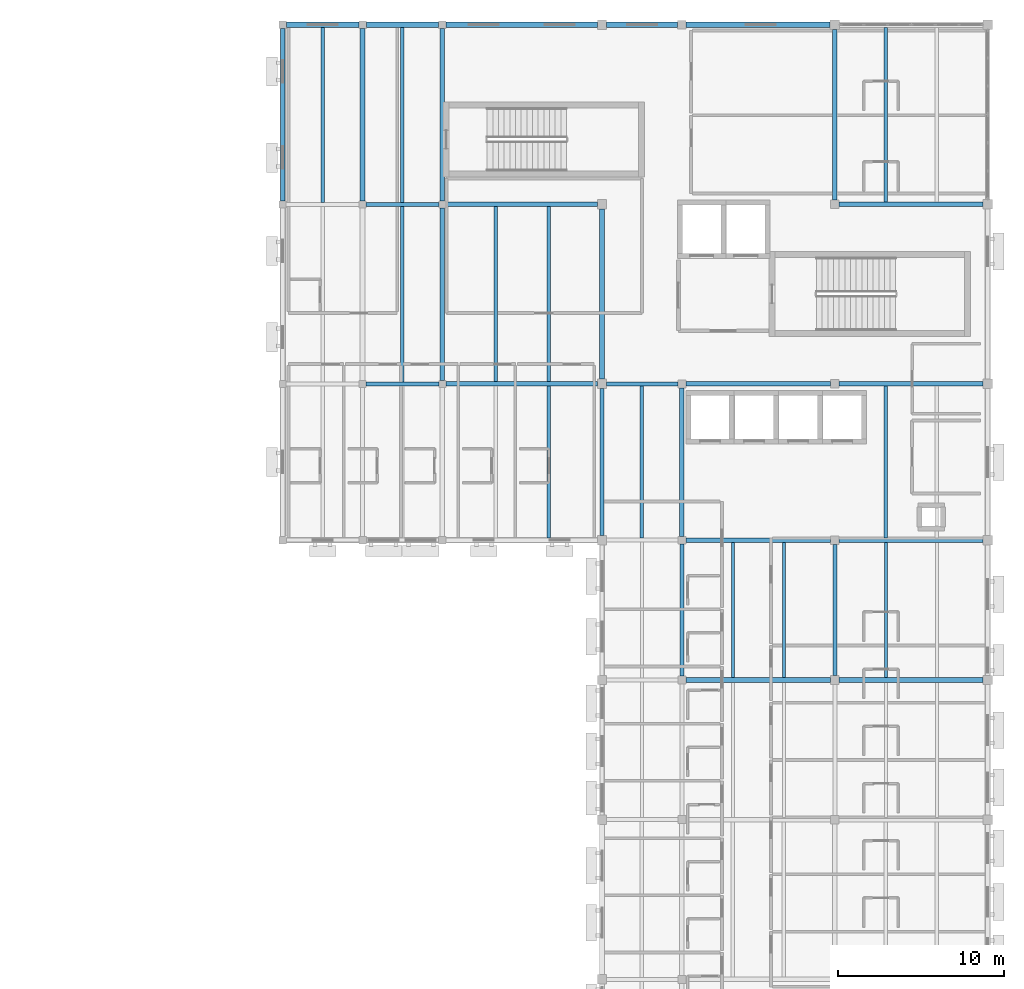
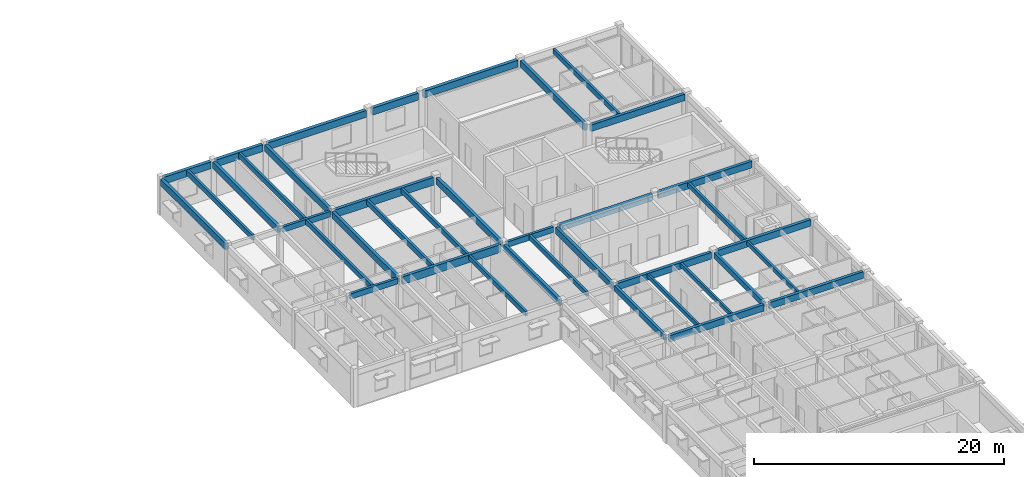
# One storey, part 4 of 31: 39 beams.
"""IFC4 building model written with IfcOpenShell, lengths in metres."""

from ifc_helpers import new_model, si_unit, direction, frame, origin, origin_2d, place, context, subcontext, project, spatial, rectangle, extrude, material, material_profile, profile_set, type_object, element, save


model = new_model("IFC4")

# Units and contexts
model_context = context("Model", 3, precision=1e-05, world=origin(), true_north=direction((0.0, 1.0)))
body_context = subcontext(model_context, "Body", "Model", "MODEL_VIEW")
ifc_project = project(units=[si_unit("LENGTHUNIT", "METRE"), si_unit("AREAUNIT", "SQUARE_METRE"), si_unit("VOLUMEUNIT", "CUBIC_METRE"), si_unit("PLANEANGLEUNIT", "RADIAN"), si_unit("MASSUNIT", "GRAM", prefix="KILO")], contexts=[model_context])

# Site, building, storey
site_placement = place(None, origin())
site = spatial("IfcSite", under=ifc_project, at=site_placement, CompositionType="ELEMENT")
building_placement = place(site_placement, origin())
building = spatial("IfcBuilding", under=site, at=building_placement, Name="Veldera Park Congress Hotel", CompositionType="ELEMENT")
storey_placement = place(building_placement, frame((0.0, 0.0, 20.0)))
storey = spatial("IfcBuildingStorey", under=building, at=storey_placement, Name="L04", CompositionType="ELEMENT", Elevation=20.0)

# Beams
ifc_material = material(Name="Glulam GL28h (NDS 24F-V4)", Category="wood")
ifc_material_profile_1 = material_profile(ifc_material, rectangle(XDim=0.239990234375, YDim=0.5400390625, at=origin_2d()), Name="GL28h 240x540")
ifc_profile_set_1 = profile_set([ifc_material_profile_1], Name="Glulam GL28h (NDS 24F-V4)")
beam_type_1 = type_object("IfcBeamType", Name="BM-GL540", PredefinedType="BEAM", material=ifc_profile_set_1)
beam_1_placement = place(storey_placement, frame((46.610107421875, 36.39990234375, 3.280029296875), z_axis=(1.0, 0.0, 0.0), x_axis=(0.0, 1.0, 0.0)))
element("IfcBeam", 1, at=beam_1_placement, inside=storey, type_object=beam_type_1, Name="L04 Girder BM-GL540 1283", PredefinedType="BEAM", context=body_context, shape_type="SweptSolid", body=[
    extrude(rectangle(XDim=0.239990234375, YDim=0.5400390625, at=origin_2d()), origin(), (0.0, 0.0, 1.0), 4.3798828125),
])
beam_2_placement = place(storey_placement, frame((61.080078125, 36.39990234375, 3.280029296875), z_axis=(1.0, 0.0, 0.0), x_axis=(0.0, 1.0, 0.0)))
element("IfcBeam", 2, at=beam_2_placement, inside=storey, type_object=beam_type_1, Name="L04 Girder BM-GL540 1285", PredefinedType="BEAM", context=body_context, shape_type="SweptSolid", body=[
    extrude(rectangle(XDim=0.239990234375, YDim=0.5400390625, at=origin_2d()), origin(), (0.0, 0.0, 1.0), 4.280029296875),
])
beam_3_placement = place(storey_placement, frame((46.610107421875, 47.199951171875, 3.280029296875), z_axis=(1.0, 0.0, 0.0), x_axis=(0.0, 1.0, 0.0)))
element("IfcBeam", 3, at=beam_3_placement, inside=storey, type_object=beam_type_1, Name="L04 Girder BM-GL540 1289", PredefinedType="BEAM", context=body_context, shape_type="SweptSolid", body=[
    extrude(rectangle(XDim=0.239990234375, YDim=0.5400390625, at=origin_2d()), origin(), (0.0, 0.0, 1.0), 4.3798828125),
])
beam_4_placement = place(storey_placement, frame((65.60009765625, 18.840087890625, 3.280029296875), z_axis=(0.0, 1.0, 0.0), x_axis=(-1.0, 0.0, 0.0)))
element("IfcBeam", 4, at=beam_4_placement, inside=storey, type_object=beam_type_1, Name="L04 Girder BM-GL540 1324", PredefinedType="BEAM", context=body_context, shape_type="SweptSolid", body=[
    extrude(rectangle(XDim=0.239990234375, YDim=0.5400390625, at=origin_2d()), origin(), (0.0, 0.0, 1.0), 7.919921875),
])
beam_5_placement = place(storey_placement, frame((74.800048828125, 18.860107421875, 3.280029296875), z_axis=(0.0, 1.0, 0.0), x_axis=(-1.0, 0.0, 0.0)))
element("IfcBeam", 5, at=beam_5_placement, inside=storey, type_object=beam_type_1, Name="L04 Girder BM-GL540 1332", PredefinedType="BEAM", context=body_context, shape_type="SweptSolid", body=[
    extrude(rectangle(XDim=0.239990234375, YDim=0.5400390625, at=origin_2d()), origin(), (0.0, 0.0, 1.0), 7.8798828125),
])
ifc_material_profile_2 = material_profile(ifc_material, rectangle(XDim=0.264892578125, YDim=0.6201171875, at=origin_2d()), Name="GL28h 265x620")
ifc_profile_set_2 = profile_set([ifc_material_profile_2], Name="Glulam GL28h (NDS 24F-V4)")
beam_type_2 = type_object("IfcBeamType", Name="BM-GL620", PredefinedType="BEAM", material=ifc_profile_set_2)
beam_6_placement = place(storey_placement, frame((60.800048828125, 27.280029296875, 3.239990234375), z_axis=(0.0, 1.0, 0.0), x_axis=(-1.0, 0.0, 0.0)))
element("IfcBeam", 6, at=beam_6_placement, inside=storey, type_object=beam_type_2, Name="L04 Girder BM-GL620 1316", PredefinedType="BEAM", context=body_context, shape_type="SweptSolid", body=[
    extrude(rectangle(XDim=0.264892578125, YDim=0.6201171875, at=origin_2d()), origin(), (0.0, 0.0, 1.0), 8.840087890625),
])
beam_7_placement = place(storey_placement, frame((65.60009765625, 27.239990234375, 3.239990234375), z_axis=(0.0, 1.0, 0.0), x_axis=(-1.0, 0.0, 0.0)))
element("IfcBeam", 7, at=beam_7_placement, inside=storey, type_object=beam_type_2, Name="L04 Girder BM-GL620 1325", PredefinedType="BEAM", context=body_context, shape_type="SweptSolid", body=[
    extrude(rectangle(XDim=0.264892578125, YDim=0.6201171875, at=origin_2d()), origin(), (0.0, 0.0, 1.0), 8.919921875),
])
ifc_material_profile_3 = material_profile(ifc_material, rectangle(XDim=0.280029296875, YDim=0.639892578125, at=origin_2d()), Name="GL28h 280x640")
ifc_profile_set_3 = profile_set([ifc_material_profile_3], Name="Glulam GL28h (NDS 24F-V4)")
beam_type_3 = type_object("IfcBeamType", Name="BM-GL640", PredefinedType="BEAM", material=ifc_profile_set_3)
beam_8_placement = place(storey_placement, frame((65.840087890625, 18.60009765625, 3.22998046875), z_axis=(1.0, 0.0, 0.0), x_axis=(0.0, 1.0, 0.0)))
element("IfcBeam", 8, at=beam_8_placement, inside=storey, type_object=beam_type_3, Name="L04 Girder BM-GL640 1274", PredefinedType="BEAM", context=body_context, shape_type="SweptSolid", body=[
    extrude(rectangle(XDim=0.280029296875, YDim=0.639892578125, at=origin_2d()), origin(), (0.0, 0.0, 1.0), 8.699951171875),
])
beam_9_placement = place(storey_placement, frame((75.06005859375, 18.60009765625, 3.22998046875), z_axis=(1.0, 0.0, 0.0), x_axis=(0.0, 1.0, 0.0)))
element("IfcBeam", 9, at=beam_9_placement, inside=storey, type_object=beam_type_3, Name="L04 Girder BM-GL640 1275", PredefinedType="BEAM", context=body_context, shape_type="SweptSolid", body=[
    extrude(rectangle(XDim=0.280029296875, YDim=0.639892578125, at=origin_2d()), origin(), (0.0, 0.0, 1.0), 8.659912109375),
])
beam_10_placement = place(storey_placement, frame((65.840087890625, 27.0, 3.22998046875), z_axis=(1.0, 0.0, 0.0), x_axis=(0.0, 1.0, 0.0)))
element("IfcBeam", 10, at=beam_10_placement, inside=storey, type_object=beam_type_3, Name="L04 Girder BM-GL640 1280", PredefinedType="BEAM", context=body_context, shape_type="SweptSolid", body=[
    extrude(rectangle(XDim=0.280029296875, YDim=0.639892578125, at=origin_2d()), origin(), (0.0, 0.0, 1.0), 8.699951171875),
])
beam_11_placement = place(storey_placement, frame((75.06005859375, 27.0, 3.22998046875), z_axis=(1.0, 0.0, 0.0), x_axis=(0.0, 1.0, 0.0)))
element("IfcBeam", 11, at=beam_11_placement, inside=storey, type_object=beam_type_3, Name="L04 Girder BM-GL640 1281", PredefinedType="BEAM", context=body_context, shape_type="SweptSolid", body=[
    extrude(rectangle(XDim=0.280029296875, YDim=0.639892578125, at=origin_2d()), origin(), (0.0, 0.0, 1.0), 8.659912109375),
])
beam_12_placement = place(storey_placement, frame((65.840087890625, 36.39990234375, 3.22998046875), z_axis=(1.0, 0.0, 0.0), x_axis=(0.0, 1.0, 0.0)))
element("IfcBeam", 12, at=beam_12_placement, inside=storey, type_object=beam_type_3, Name="L04 Girder BM-GL640 1286", PredefinedType="BEAM", context=body_context, shape_type="SweptSolid", body=[
    extrude(rectangle(XDim=0.280029296875, YDim=0.639892578125, at=origin_2d()), origin(), (0.0, 0.0, 1.0), 8.699951171875),
])
for number, where, z_axis, x_axis, name in (
    (13, (75.06005859375, 36.39990234375, 3.22998046875), (1.0, 0.0, 0.0), (0.0, 1.0, 0.0), "L04 Girder BM-GL640 1287"),
    (14, (75.06005859375, 47.199951171875, 3.22998046875), (1.0, 0.0, 0.0), (0.0, 1.0, 0.0), "L04 Girder BM-GL640 1291"),
):
    element("IfcBeam", number, at=place(storey_placement, frame(where, z_axis=z_axis, x_axis=x_axis)), inside=storey, type_object=beam_type_3, Name=name, PredefinedType="BEAM", context=body_context, shape_type="SweptSolid", body=[
        extrude(rectangle(XDim=0.280029296875, YDim=0.639892578125, at=origin_2d()), origin(), (0.0, 0.0, 1.0), 8.659912109375),
    ])
for number, where, z_axis, x_axis, name in (
    (15, (41.60009765625, 47.409912109375, 3.22998046875), (0.0, 1.0, 0.0), (-1.0, 0.0, 0.0), "L04 Girder BM-GL640 1300"),
    (16, (46.39990234375, 47.409912109375, 3.22998046875), (0.0, 1.0, 0.0), (-1.0, 0.0, 0.0), "L04 Girder BM-GL640 1303"),
):
    element("IfcBeam", number, at=place(storey_placement, frame(where, z_axis=z_axis, x_axis=x_axis)), inside=storey, type_object=beam_type_3, Name=name, PredefinedType="BEAM", context=body_context, shape_type="SweptSolid", body=[
        extrude(rectangle(XDim=0.280029296875, YDim=0.639892578125, at=origin_2d()), origin(), (0.0, 0.0, 1.0), 10.364990234375),
    ])
beam_13_placement = place(storey_placement, frame((51.199951171875, 36.610107421875, 3.22998046875), z_axis=(0.0, 1.0, 0.0), x_axis=(-1.0, 0.0, 0.0)))
element("IfcBeam", 17, at=beam_13_placement, inside=storey, type_object=beam_type_3, Name="L04 Girder BM-GL640 1305", PredefinedType="BEAM", context=body_context, shape_type="SweptSolid", body=[
    extrude(rectangle(XDim=0.280029296875, YDim=0.639892578125, at=origin_2d()), origin(), (0.0, 0.0, 1.0), 10.3798828125),
])
beam_14_placement = place(storey_placement, frame((51.199951171875, 47.409912109375, 3.22998046875), z_axis=(0.0, 1.0, 0.0), x_axis=(-1.0, 0.0, 0.0)))
element("IfcBeam", 18, at=beam_14_placement, inside=storey, type_object=beam_type_3, Name="L04 Girder BM-GL640 1306", PredefinedType="BEAM", context=body_context, shape_type="SweptSolid", body=[
    extrude(rectangle(XDim=0.280029296875, YDim=0.639892578125, at=origin_2d()), origin(), (0.0, 0.0, 1.0), 10.364990234375),
])
beam_15_placement = place(storey_placement, frame((60.800048828125, 36.679931640625, 3.22998046875), z_axis=(0.0, 1.0, 0.0), x_axis=(-1.0, 0.0, 0.0)))
element("IfcBeam", 19, at=beam_15_placement, inside=storey, type_object=beam_type_3, Name="L04 Girder BM-GL640 1317", PredefinedType="BEAM", context=body_context, shape_type="SweptSolid", body=[
    extrude(rectangle(XDim=0.280029296875, YDim=0.639892578125, at=origin_2d()), origin(), (0.0, 0.0, 1.0), 10.239990234375),
])
beam_16_placement = place(storey_placement, frame((74.800048828125, 47.4599609375, 3.22998046875), z_axis=(0.0, 1.0, 0.0), x_axis=(-1.0, 0.0, 0.0)))
element("IfcBeam", 20, at=beam_16_placement, inside=storey, type_object=beam_type_3, Name="L04 Girder BM-GL640 1333", PredefinedType="BEAM", context=body_context, shape_type="SweptSolid", body=[
    extrude(rectangle(XDim=0.280029296875, YDim=0.639892578125, at=origin_2d()), origin(), (0.0, 0.0, 1.0), 10.260009765625),
])
ifc_material_profile_4 = material_profile(ifc_material, rectangle(XDim=0.31494140625, YDim=0.679931640625, at=origin_2d()), Name="GL28h 315x680")
ifc_profile_set_4 = profile_set([ifc_material_profile_4], Name="Glulam GL28h (NDS 24F-V4)")
beam_type_4 = type_object("IfcBeamType", Name="BM-GL640E", PredefinedType="BEAM", material=ifc_profile_set_4)
for number, where, z_axis, x_axis, name in (
    (21, (41.824951171875, 58.0, 3.2099609375), (1.0, 0.0, 0.0), (0.0, 1.0, 0.0), "L04 Girder BM-GL640E 1292"),
    (22, (46.625, 58.0, 3.2099609375), (1.0, 0.0, 0.0), (0.0, 1.0, 0.0), "L04 Girder BM-GL640E 1293"),
):
    element("IfcBeam", number, at=place(storey_placement, frame(where, z_axis=z_axis, x_axis=x_axis)), inside=storey, type_object=beam_type_4, Name=name, PredefinedType="BEAM", context=body_context, shape_type="SweptSolid", body=[
        extrude(rectangle(XDim=0.31494140625, YDim=0.679931640625, at=origin_2d()), origin(), (0.0, 0.0, 1.0), 4.35009765625),
    ])
beam_17_placement = place(storey_placement, frame((51.425048828125, 58.0, 3.2099609375), z_axis=(1.0, 0.0, 0.0), x_axis=(0.0, 1.0, 0.0)))
element("IfcBeam", 23, at=beam_17_placement, inside=storey, type_object=beam_type_4, Name="L04 Girder BM-GL640E 1294", PredefinedType="BEAM", context=body_context, shape_type="SweptSolid", body=[
    extrude(rectangle(XDim=0.31494140625, YDim=0.679931640625, at=origin_2d()), origin(), (0.0, 0.0, 1.0), 9.094970703125),
])
beam_18_placement = place(storey_placement, frame((61.080078125, 58.0, 3.2099609375), z_axis=(1.0, 0.0, 0.0), x_axis=(0.0, 1.0, 0.0)))
element("IfcBeam", 24, at=beam_18_placement, inside=storey, type_object=beam_type_4, Name="L04 Girder BM-GL640E 1295", PredefinedType="BEAM", context=body_context, shape_type="SweptSolid", body=[
    extrude(rectangle(XDim=0.31494140625, YDim=0.679931640625, at=origin_2d()), origin(), (0.0, 0.0, 1.0), 4.260009765625),
])
beam_19_placement = place(storey_placement, frame((65.860107421875, 58.0, 3.2099609375), z_axis=(1.0, 0.0, 0.0), x_axis=(0.0, 1.0, 0.0)))
element("IfcBeam", 25, at=beam_19_placement, inside=storey, type_object=beam_type_4, Name="L04 Girder BM-GL640E 1296", PredefinedType="BEAM", context=body_context, shape_type="SweptSolid", body=[
    extrude(rectangle(XDim=0.31494140625, YDim=0.679931640625, at=origin_2d()), origin(), (0.0, 0.0, 1.0), 8.659912109375),
])
ifc_material_profile_5 = material_profile(ifc_material, rectangle(XDim=0.280029296875, YDim=0.760009765625, at=origin_2d()), Name="GL28h 280x760")
ifc_profile_set_5 = profile_set([ifc_material_profile_5], Name="Glulam GL28h (NDS 24F-V4)")
beam_type_5 = type_object("IfcBeamType", Name="BM-GL760", PredefinedType="BEAM", material=ifc_profile_set_5)
for number, where, z_axis, x_axis, name in (
    (26, (51.409912109375, 36.39990234375, 3.169921875), (1.0, 0.0, 0.0), (0.0, 1.0, 0.0), "L04 Girder BM-GL760 1284"),
    (27, (51.409912109375, 47.199951171875, 3.169921875), (1.0, 0.0, 0.0), (0.0, 1.0, 0.0), "L04 Girder BM-GL760 1290"),
):
    element("IfcBeam", number, at=place(storey_placement, frame(where, z_axis=z_axis, x_axis=x_axis)), inside=storey, type_object=beam_type_5, Name=name, PredefinedType="BEAM", context=body_context, shape_type="SweptSolid", body=[
        extrude(rectangle(XDim=0.280029296875, YDim=0.760009765625, at=origin_2d()), origin(), (0.0, 0.0, 1.0), 9.110107421875),
    ])
ifc_material_profile_6 = material_profile(ifc_material, rectangle(XDim=0.18994140625, YDim=0.39990234375, at=origin_2d()), Name="GL28h 190x400")
ifc_profile_set_6 = profile_set([ifc_material_profile_6], Name="Glulam GL28h (NDS 24F-V4)")
beam_type_6 = type_object("IfcBeamType", Name="JST-GL400", PredefinedType="JOIST", material=ifc_profile_set_6)
for number, where, z_axis, x_axis, name in (
    (28, (68.666748046875, 18.739990234375, 3.35009765625), (0.0, 1.0, 0.0), (-1.0, 0.0, 0.0), "L04 Floor Joist JST-GL400 1370"),
    (29, (71.7333984375, 18.739990234375, 3.35009765625), (0.0, 1.0, 0.0), (-1.0, 0.0, 0.0), "L04 Floor Joist JST-GL400 1371"),
    (30, (77.86669921875, 18.739990234375, 3.35009765625), (0.0, 1.0, 0.0), (-1.0, 0.0, 0.0), "L04 Floor Joist JST-GL400 1372"),
):
    element("IfcBeam", number, at=place(storey_placement, frame(where, z_axis=z_axis, x_axis=x_axis)), inside=storey, type_object=beam_type_6, Name=name, PredefinedType="JOIST", context=body_context, shape_type="SweptSolid", body=[
        extrude(rectangle(XDim=0.18994140625, YDim=0.39990234375, at=origin_2d()), origin(), (0.0, 0.0, 1.0), 8.1201171875),
    ])
ifc_material_profile_7 = material_profile(ifc_material, rectangle(XDim=0.215087890625, YDim=0.449951171875, at=origin_2d()), Name="GL28h 215x450")
ifc_profile_set_7 = profile_set([ifc_material_profile_7], Name="Glulam GL28h (NDS 24F-V4)")
beam_type_7 = type_object("IfcBeamType", Name="JST-GL450", PredefinedType="JOIST", material=ifc_profile_set_7)
beam_20_placement = place(storey_placement, frame((57.60009765625, 27.139892578125, 3.324951171875), z_axis=(0.0, 1.0, 0.0), x_axis=(-1.0, 0.0, 0.0)))
element("IfcBeam", 31, at=beam_20_placement, inside=storey, type_object=beam_type_7, Name="L04 Floor Joist JST-GL450 1377", PredefinedType="JOIST", context=body_context, shape_type="SweptSolid", body=[
    extrude(rectangle(XDim=0.215087890625, YDim=0.449951171875, at=origin_2d()), origin(), (0.0, 0.0, 1.0), 9.1201171875),
])
beam_21_placement = place(storey_placement, frame((63.199951171875, 27.1201171875, 3.324951171875), z_axis=(0.0, 1.0, 0.0), x_axis=(-1.0, 0.0, 0.0)))
element("IfcBeam", 32, at=beam_21_placement, inside=storey, type_object=beam_type_7, Name="L04 Floor Joist JST-GL450 1378", PredefinedType="JOIST", context=body_context, shape_type="SweptSolid", body=[
    extrude(rectangle(XDim=0.215087890625, YDim=0.449951171875, at=origin_2d()), origin(), (0.0, 0.0, 1.0), 9.159912109375),
])
beam_22_placement = place(storey_placement, frame((77.86669921875, 27.139892578125, 3.324951171875), z_axis=(0.0, 1.0, 0.0), x_axis=(-1.0, 0.0, 0.0)))
element("IfcBeam", 33, at=beam_22_placement, inside=storey, type_object=beam_type_7, Name="L04 Floor Joist JST-GL450 1379", PredefinedType="JOIST", context=body_context, shape_type="SweptSolid", body=[
    extrude(rectangle(XDim=0.215087890625, YDim=0.449951171875, at=origin_2d()), origin(), (0.0, 0.0, 1.0), 9.1201171875),
])
ifc_material_profile_8 = material_profile(ifc_material, rectangle(XDim=0.215087890625, YDim=0.4951171875, at=origin_2d()), Name="GL28h 215x495")
ifc_profile_set_8 = profile_set([ifc_material_profile_8], Name="Glulam GL28h (NDS 24F-V4)")
beam_type_8 = type_object("IfcBeamType", Name="JST-GL495", PredefinedType="JOIST", material=ifc_profile_set_8)
beam_23_placement = place(storey_placement, frame((48.800048828125, 36.52001953125, 3.302490234375), z_axis=(0.0, 1.0, 0.0), x_axis=(-1.0, 0.0, 0.0)))
element("IfcBeam", 34, at=beam_23_placement, inside=storey, type_object=beam_type_8, Name="L04 Floor Joist JST-GL495 1382", PredefinedType="JOIST", context=body_context, shape_type="SweptSolid", body=[
    extrude(rectangle(XDim=0.215087890625, YDim=0.4951171875, at=origin_2d()), origin(), (0.0, 0.0, 1.0), 10.56005859375),
])
for number, where, z_axis, x_axis, name in (
    (35, (54.39990234375, 36.5400390625, 3.302490234375), (0.0, 1.0, 0.0), (-1.0, 0.0, 0.0), "L04 Floor Joist JST-GL495 1383"),
    (36, (57.60009765625, 36.5400390625, 3.302490234375), (0.0, 1.0, 0.0), (-1.0, 0.0, 0.0), "L04 Floor Joist JST-GL495 1384"),
):
    element("IfcBeam", number, at=place(storey_placement, frame(where, z_axis=z_axis, x_axis=x_axis)), inside=storey, type_object=beam_type_8, Name=name, PredefinedType="JOIST", context=body_context, shape_type="SweptSolid", body=[
        extrude(rectangle(XDim=0.215087890625, YDim=0.4951171875, at=origin_2d()), origin(), (0.0, 0.0, 1.0), 10.52001953125),
    ])
for number, where, z_axis, x_axis, name in (
    (37, (44.0, 47.320068359375, 3.302490234375), (0.0, 1.0, 0.0), (-1.0, 0.0, 0.0), "L04 Floor Joist JST-GL495 1385"),
    (38, (48.800048828125, 47.320068359375, 3.302490234375), (0.0, 1.0, 0.0), (-1.0, 0.0, 0.0), "L04 Floor Joist JST-GL495 1386"),
):
    element("IfcBeam", number, at=place(storey_placement, frame(where, z_axis=z_axis, x_axis=x_axis)), inside=storey, type_object=beam_type_8, Name=name, PredefinedType="JOIST", context=body_context, shape_type="SweptSolid", body=[
        extrude(rectangle(XDim=0.215087890625, YDim=0.4951171875, at=origin_2d()), origin(), (0.0, 0.0, 1.0), 10.5224609375),
    ])
beam_24_placement = place(storey_placement, frame((77.86669921875, 47.340087890625, 3.302490234375), z_axis=(0.0, 1.0, 0.0), x_axis=(-1.0, 0.0, 0.0)))
element("IfcBeam", 39, at=beam_24_placement, inside=storey, type_object=beam_type_8, Name="L04 Floor Joist JST-GL495 1387", PredefinedType="JOIST", context=body_context, shape_type="SweptSolid", body=[
    extrude(rectangle(XDim=0.215087890625, YDim=0.4951171875, at=origin_2d()), origin(), (0.0, 0.0, 1.0), 10.50244140625),
])

save(model, "model.ifc")
